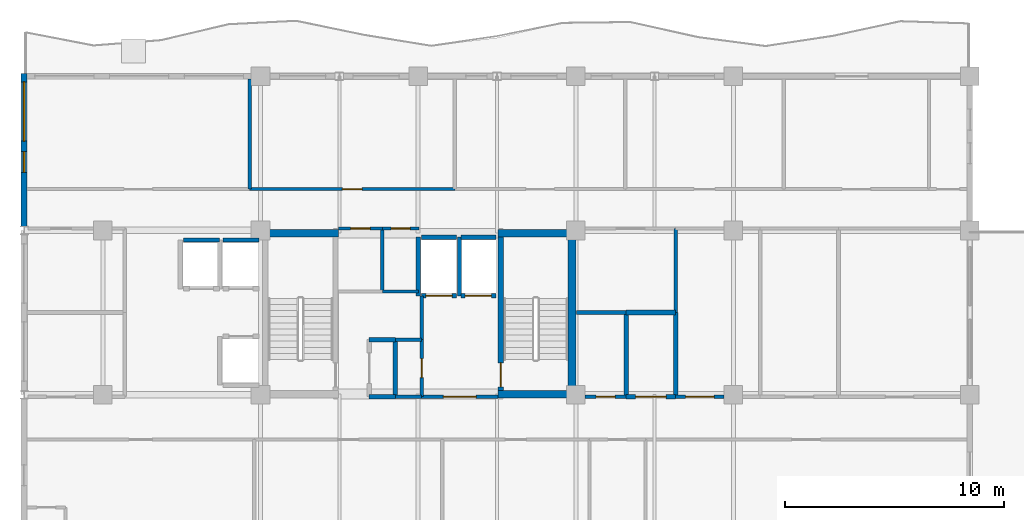
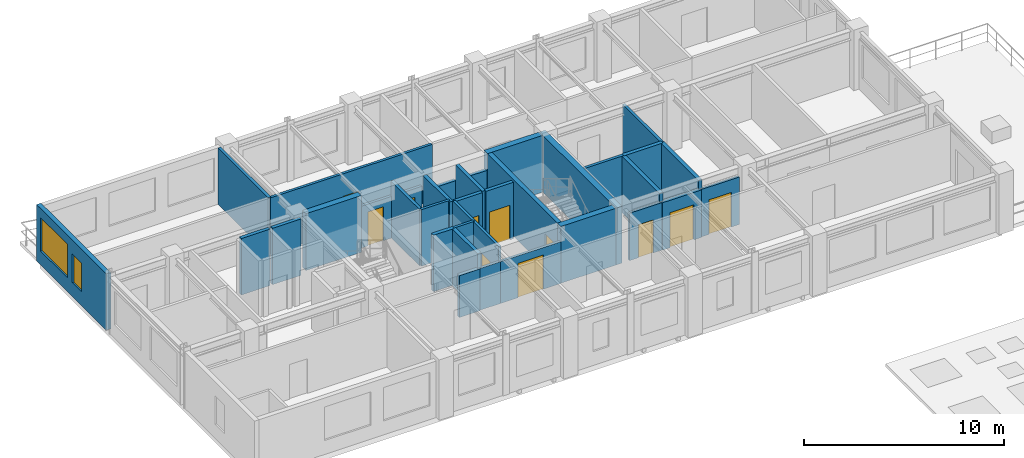
# One storey, part 4 of 8: 36 walls, 11 doors, 2 windows, 13 openings.
"""IFC4 building model written with IfcOpenShell, lengths in metres."""

from ifc_helpers import new_model, si_unit, direction, frame, frame_2d, origin, place, context, subcontext, project, spatial, rectangle, extrude, material, layer, layer_set, type_object, element, fill, save


model = new_model("IFC4")

# Units and contexts
model_context = context("Model", 3, precision=1e-05, world=origin(), true_north=direction((0.0, 1.0)))
body_context = subcontext(model_context, "Body", "Model", "MODEL_VIEW")
ifc_project = project(units=[si_unit("LENGTHUNIT", "METRE"), si_unit("AREAUNIT", "SQUARE_METRE"), si_unit("VOLUMEUNIT", "CUBIC_METRE"), si_unit("PLANEANGLEUNIT", "RADIAN"), si_unit("MASSUNIT", "GRAM", prefix="KILO")], contexts=[model_context])

# Site, building, storey
site_placement = place(None, origin())
site = spatial("IfcSite", under=ifc_project, at=site_placement, CompositionType="ELEMENT")
building_placement = place(site_placement, origin())
building = spatial("IfcBuilding", under=site, at=building_placement, Name="Kaliganga Portal Commons", CompositionType="ELEMENT")
storey_placement = place(building_placement, frame((0.0, 0.0, 249.89990234375)))
storey = spatial("IfcBuildingStorey", under=building, at=storey_placement, Name="L64", CompositionType="ELEMENT", Elevation=249.89990234375)

# Walls
ifc_material_1 = material(Name="Concrete C50/60", Category="concrete")
ifc_layer_1 = layer(ifc_material_1, 0.35009765625)
ifc_layer_set_1 = layer_set([ifc_layer_1], Name="Concrete C50/60")
wall_type_1 = type_object("IfcWallType", Name="WL-CORE-350", PredefinedType="SHEAR", material=ifc_layer_set_1)
wall_1_placement = place(storey_placement, frame((28.625, 28.5, 0.0), z_axis=(0.0, 0.0, 1.0), x_axis=(0.0, 1.0, 0.0)))
element("IfcWall", 1, at=wall_1_placement, inside=storey, type_object=wall_type_1, Name="Core A East Shear Wall L64", PredefinedType="SHEAR", context=body_context, shape_type="SweptSolid", body=[
    extrude(rectangle(XDim=7.699951171875, YDim=0.35009765625, at=frame_2d((3.85009765625, 0.0))), origin(), (0.0, 0.0, 1.0), 3.47509765625),
])
for number, where, z_axis, x_axis, name in (
    (2, (25.25, 28.675048828125, 0.0), (0.0, 0.0, 1.0), (1.0, 0.0, 0.0), "Core A S-East Shear Wall L64"),
    (3, (14.75, 36.02490234375, 0.0), (0.0, 0.0, 1.0), (1.0, 0.0, 0.0), "Core A N-West Shear Wall L64"),
    (4, (25.25, 36.02490234375, 0.0), (0.0, 0.0, 1.0), (1.0, 0.0, 0.0), "Core A N-East Shear Wall L64"),
):
    element("IfcWall", number, at=place(storey_placement, frame(where, z_axis=z_axis, x_axis=x_axis)), inside=storey, type_object=wall_type_1, Name=name, PredefinedType="SHEAR", context=body_context, shape_type="SweptSolid", body=[
        extrude(rectangle(XDim=3.199951171875, YDim=0.35009765625, at=frame_2d((1.60009765625, 0.0))), origin(), (0.0, 0.0, 1.0), 3.47509765625),
    ])

# Wall, openings, windows
ifc_material_2 = material(Name="Insulated Aluminium-Clad Spandrel Assembly", Category="aluminium")
ifc_layer_2 = layer(ifc_material_2, 0.260009765625)
ifc_layer_set_2 = layer_set([ifc_layer_2], Name="Insulated Aluminium-Clad Spandrel Assembly")
wall_type_2 = type_object("IfcWallType", Name="WL-EXT-SPAND-260", PredefinedType="STANDARD", material=ifc_layer_set_2)
wall_2_placement = place(storey_placement, frame((3.60009765625, 36.3369140625, 0.0), z_axis=(0.0, 0.0, 1.0), x_axis=(0.0, 1.0, 0.0)))
wall_2 = element("IfcWall", 5, at=wall_2_placement, inside=storey, type_object=wall_type_2, Name="Exterior Envelope Wall L64 P1-E03-S1", PredefinedType="STANDARD", context=body_context, shape_type="SweptSolid", body=[
    extrude(rectangle(XDim=6.9931640625, YDim=0.260009765625, at=frame_2d((3.49658203125, 0.0))), origin(), (0.0, 0.0, 1.0), 3.455078125),
])
opening_1_placement = place(wall_2_placement, frame((3.894775390625, 0.0, 0.85009765625)))
opening_1 = element("IfcOpeningElement", 6, at=opening_1_placement, cuts=wall_2, Name="Opening W-07", PredefinedType="OPENING", context=body_context, shape_type="SweptSolid", body=[
    extrude(rectangle(XDim=2.699951171875, YDim=2.050048828125, at=frame_2d((1.35009765625, 1.02490234375))), frame((0.0, 0.14013671875, 0.0), z_axis=(0.0, -1.0, 0.0), x_axis=(1.0, 0.0, 0.0)), (0.0, 0.0, 1.0), 0.280029296875),
])
opening_2_placement = place(wall_2_placement, frame((2.462158203125, 0.0, 0.85009765625)))
opening_2 = element("IfcOpeningElement", 7, at=opening_2_placement, cuts=wall_2, Name="Opening W-04", PredefinedType="OPENING", context=body_context, shape_type="SweptSolid", body=[
    extrude(rectangle(XDim=0.949951171875, YDim=1.75, at=frame_2d((0.47509765625, 0.875))), frame((0.0, 0.14013671875, 0.0), z_axis=(0.0, -1.0, 0.0), x_axis=(1.0, 0.0, 0.0)), (0.0, 0.0, 1.0), 0.280029296875),
])
ifc_material_3 = material(Name="Thermally Broken Aluminium and Low-E Double Glazing", Category="aluminium")
window_type_1 = type_object("IfcWindowType", Name="WIN-LOUNGE-2700", PartitioningType="TRIPLE_PANEL_VERTICAL", PredefinedType="WINDOW", material=ifc_material_3)
window_1_placement = place(opening_1_placement, origin())
window_1 = element("IfcWindow", 8, at=window_1_placement, inside=storey, type_object=window_type_1, Name="Facade Window L64-P1E03S1-01", OverallHeight=2.050048828125, OverallWidth=2.699951171875, PartitioningType="SINGLE_PANEL", PredefinedType="WINDOW", context=body_context, shape_type="SweptSolid", body=[
    extrude(rectangle(XDim=2.699951171875, YDim=2.050048828125, at=frame_2d((1.35009765625, 1.02490234375))), frame((0.0, 0.030029296875, 0.0), z_axis=(0.0, -1.0, 0.0), x_axis=(1.0, 0.0, 0.0)), (0.0, 0.0, 1.0), 0.06005859375),
])
fill(opening_1, window_1)
window_type_2 = type_object("IfcWindowType", Name="WIN-NARROW-950", PartitioningType="SINGLE_PANEL", PredefinedType="WINDOW", material=ifc_material_3)
window_2_placement = place(opening_2_placement, origin())
window_2 = element("IfcWindow", 9, at=window_2_placement, inside=storey, type_object=window_type_2, Name="Facade Window L64-P1E03S1-N5", OverallHeight=1.75, OverallWidth=0.949951171875, PartitioningType="SINGLE_PANEL", PredefinedType="WINDOW", context=body_context, shape_type="SweptSolid", body=[
    extrude(rectangle(XDim=0.949951171875, YDim=1.75, at=frame_2d((0.47509765625, 0.875))), frame((0.0, 0.030029296875, 0.0), z_axis=(0.0, -1.0, 0.0), x_axis=(1.0, 0.0, 0.0)), (0.0, 0.0, 1.0), 0.06005859375),
])
fill(opening_2, window_2)

# Wall, opening, door
ifc_material_4 = material(Name="Fire-Rated Gypsum Board on Steel Stud", Category="steel")
ifc_layer_3 = layer(ifc_material_4, 0.14990234375)
ifc_layer_set_3 = layer_set([ifc_layer_3], Name="Fire-Rated Gypsum Board on Steel Stud")
wall_type_3 = type_object("IfcWallType", Name="WL-PART-CORR-150", PredefinedType="PARTITIONING", material=ifc_layer_set_3)
wall_3_placement = place(storey_placement, frame((13.89990234375, 38.0400390625, 0.0), z_axis=(0.0, 0.0, 1.0), x_axis=(1.0, 0.0, 0.0)))
wall_3 = element("IfcWall", 10, at=wall_3_placement, inside=storey, type_object=wall_type_3, Name="Interior Partition L64-006", PredefinedType="PARTITIONING", context=body_context, shape_type="SweptSolid", body=[
    extrude(rectangle(XDim=9.380126953125, YDim=0.14990234375, at=frame_2d((4.68994140625, 0.0))), origin(), (0.0, 0.0, 1.0), 3.455078125),
])
opening_3_placement = place(wall_3_placement, frame((4.239990234375, 0.0, 0.0)))
opening_3 = element("IfcOpeningElement", 11, at=opening_3_placement, cuts=wall_3, Name="Opening RD-01", PredefinedType="OPENING", context=body_context, shape_type="SweptSolid", body=[
    extrude(rectangle(XDim=0.89990234375, YDim=2.080078125, at=frame_2d((0.449951171875, 1.0400390625))), frame((0.0, 0.0849609375, 0.0), z_axis=(0.0, -1.0, 0.0), x_axis=(1.0, 0.0, 0.0)), (0.0, 0.0, 1.0), 0.169921875),
])
ifc_material_5 = material(Name="Engineered Timber Flush Door", Category="wood")
door_type_1 = type_object("IfcDoorType", Name="DR-ROOM-900", OperationType="NOTDEFINED", PredefinedType="DOOR", material=ifc_material_5)
door_1_placement = place(opening_3_placement, origin())
door_1 = element("IfcDoor", 12, at=door_1_placement, inside=storey, type_object=door_type_1, Name="Interior Door L64-AN02", OperationType="SINGLE_SWING_LEFT", OverallHeight=2.080078125, OverallWidth=0.89990234375, PredefinedType="DOOR", context=body_context, shape_type="SweptSolid", body=[
    extrude(rectangle(XDim=0.89990234375, YDim=2.080078125, at=frame_2d((0.449951171875, 1.0400390625))), frame((0.0, 0.02490234375, 0.0), z_axis=(0.0, -1.0, 0.0), x_axis=(1.0, 0.0, 0.0)), (0.0, 0.0, 1.0), 0.050048828125),
])
fill(opening_3, door_1)

wall_4_placement = place(storey_placement, frame((33.360107421875, 28.56005859375, 0.0), z_axis=(0.0, 0.0, 1.0), x_axis=(1.0, 0.0, 0.0)))
wall_4 = element("IfcWall", 13, at=wall_4_placement, inside=storey, type_object=wall_type_3, Name="Interior Partition L64-019", PredefinedType="PARTITIONING", context=body_context, shape_type="SweptSolid", body=[
    extrude(rectangle(XDim=2.21484375, YDim=0.14990234375, at=frame_2d((1.107421875, 0.0))), origin(), (0.0, 0.0, 1.0), 2.905029296875),
])
opening_4_placement = place(wall_4_placement, frame((0.45751953125, 0.0, 0.0)))
opening_4 = element("IfcOpeningElement", 14, at=opening_4_placement, cuts=wall_4, Name="Opening RD-03", PredefinedType="OPENING", context=body_context, shape_type="SweptSolid", body=[
    extrude(rectangle(XDim=1.300048828125, YDim=2.1201171875, at=frame_2d((0.64990234375, 1.06005859375))), frame((0.0, 0.0849609375, 0.0), z_axis=(0.0, -1.0, 0.0), x_axis=(1.0, 0.0, 0.0)), (0.0, 0.0, 1.0), 0.169921875),
])
ifc_material_6 = material(Name="Glazed Timber Seminar Vision Door", Category="wood")
door_type_2 = type_object("IfcDoorType", Name="DR-STUDY-1300", OperationType="DOUBLE_DOOR_SINGLE_SWING", PredefinedType="DOOR", material=ifc_material_6)
door_2_placement = place(opening_4_placement, origin())
door_2 = element("IfcDoor", 15, at=door_2_placement, inside=storey, type_object=door_type_2, Name="Interior Door L64-AE01", OperationType="DOUBLE_DOOR_SINGLE_SWING", OverallHeight=2.1201171875, OverallWidth=1.300048828125, PredefinedType="DOOR", context=body_context, shape_type="SweptSolid", body=[
    extrude(rectangle(XDim=1.300048828125, YDim=2.1201171875, at=frame_2d((0.64990234375, 1.06005859375))), frame((0.0, 0.02490234375, 0.0), z_axis=(0.0, -1.0, 0.0), x_axis=(1.0, 0.0, 0.0)), (0.0, 0.0, 1.0), 0.050048828125),
])
fill(opening_4, door_2)

wall_5_placement = place(storey_placement, frame((21.760009765625, 28.56005859375, 0.0), z_axis=(0.0, 0.0, 1.0), x_axis=(0.0, 1.0, 0.0)))
wall_5 = element("IfcWall", 16, at=wall_5_placement, inside=storey, type_object=wall_type_3, Name="Interior Partition L64-028", PredefinedType="PARTITIONING", context=body_context, shape_type="SweptSolid", body=[
    extrude(rectangle(XDim=2.599853515625, YDim=0.14990234375, at=frame_2d((1.2998046875, 0.0))), origin(), (0.0, 0.0, 1.0), 3.455078125),
])
opening_5_placement = place(wall_5_placement, frame((0.8701171875, 0.0, 0.0)))
opening_5 = element("IfcOpeningElement", 17, at=opening_5_placement, cuts=wall_5, Name="Opening WD-02", PredefinedType="OPENING", context=body_context, shape_type="SweptSolid", body=[
    extrude(rectangle(XDim=0.860107421875, YDim=2.02001953125, at=frame_2d((0.43017578125, 1.010009765625))), frame((0.0, 0.0849609375, 0.0), z_axis=(0.0, -1.0, 0.0), x_axis=(1.0, 0.0, 0.0)), (0.0, 0.0, 1.0), 0.169921875),
])
ifc_material_7 = material(Name="Fire-Rated Utility Closet Door", Category="wood")
door_type_3 = type_object("IfcDoorType", Name="DR-STORE-800", OperationType="NOTDEFINED", PredefinedType="DOOR", material=ifc_material_7)
door_3_placement = place(opening_5_placement, origin())
door_3 = element("IfcDoor", 18, at=door_3_placement, inside=storey, type_object=door_type_3, Name="Interior Door L64-CIN_A2", OperationType="SINGLE_SWING_RIGHT", OverallHeight=2.02001953125, OverallWidth=0.860107421875, PredefinedType="DOOR", context=body_context, shape_type="SweptSolid", body=[
    extrude(rectangle(XDim=0.860107421875, YDim=2.02001953125, at=frame_2d((0.43017578125, 1.010009765625))), frame((0.0, 0.02490234375, 0.0), z_axis=(0.0, -1.0, 0.0), x_axis=(1.0, 0.0, 0.0)), (0.0, 0.0, 1.0), 0.050048828125),
])
fill(opening_5, door_3)

wall_6_placement = place(storey_placement, frame((29.22509765625, 28.56005859375, 0.0), z_axis=(0.0, 0.0, 1.0), x_axis=(1.0, 0.0, 0.0)))
wall_6 = element("IfcWall", 19, at=wall_6_placement, inside=storey, type_object=wall_type_3, Name="Interior Partition L64-030", PredefinedType="PARTITIONING", context=body_context, shape_type="SweptSolid", body=[
    extrude(rectangle(XDim=1.875, YDim=0.14990234375, at=frame_2d((0.9375, 0.0))), origin(), (0.0, 0.0, 1.0), 2.905029296875),
])
opening_6_placement = place(wall_6_placement, frame((0.507568359375, 0.0, 0.0)))
opening_6 = element("IfcOpeningElement", 20, at=opening_6_placement, cuts=wall_6, Name="Opening WD-02", PredefinedType="OPENING", context=body_context, shape_type="SweptSolid", body=[
    extrude(rectangle(XDim=0.860107421875, YDim=2.02001953125, at=frame_2d((0.43017578125, 1.010009765625))), frame((0.0, 0.0849609375, 0.0), z_axis=(0.0, -1.0, 0.0), x_axis=(1.0, 0.0, 0.0)), (0.0, 0.0, 1.0), 0.169921875),
])
door_4_placement = place(opening_6_placement, origin())
door_4 = element("IfcDoor", 21, at=door_4_placement, inside=storey, type_object=door_type_3, Name="Interior Door L64-CSRV_A1", OperationType="SINGLE_SWING_RIGHT", OverallHeight=2.02001953125, OverallWidth=0.860107421875, PredefinedType="DOOR", context=body_context, shape_type="SweptSolid", body=[
    extrude(rectangle(XDim=0.860107421875, YDim=2.02001953125, at=frame_2d((0.43017578125, 1.010009765625))), frame((0.0, 0.02490234375, 0.0), z_axis=(0.0, -1.0, 0.0), x_axis=(1.0, 0.0, 0.0)), (0.0, 0.0, 1.0), 0.050048828125),
])
fill(opening_6, door_4)

wall_7_placement = place(storey_placement, frame((17.9599609375, 36.239990234375, 0.0), z_axis=(0.0, 0.0, 1.0), x_axis=(1.0, 0.0, 0.0)))
wall_7 = element("IfcWall", 22, at=wall_7_placement, inside=storey, type_object=wall_type_3, Name="Interior Partition L64-033", PredefinedType="PARTITIONING", context=body_context, shape_type="SweptSolid", body=[
    extrude(rectangle(XDim=2.0, YDim=0.14990234375, at=frame_2d((1.0, 0.0))), origin(), (0.0, 0.0, 1.0), 2.55517578125),
])
opening_7_placement = place(wall_7_placement, frame((0.550048828125, 0.0, 0.0)))
opening_7 = element("IfcOpeningElement", 23, at=opening_7_placement, cuts=wall_7, Name="Opening RD-01", PredefinedType="OPENING", context=body_context, shape_type="SweptSolid", body=[
    extrude(rectangle(XDim=0.89990234375, YDim=2.080078125, at=frame_2d((0.449951171875, 1.0400390625))), frame((0.0, 0.0849609375, 0.0), z_axis=(0.0, -1.0, 0.0), x_axis=(1.0, 0.0, 0.0)), (0.0, 0.0, 1.0), 0.169921875),
])
door_5_placement = place(opening_7_placement, origin())
door_5 = element("IfcDoor", 24, at=door_5_placement, inside=storey, type_object=door_type_1, Name="Interior Door L64-CREC_A1", OperationType="SINGLE_SWING_RIGHT", OverallHeight=2.080078125, OverallWidth=0.89990234375, PredefinedType="DOOR", context=body_context, shape_type="SweptSolid", body=[
    extrude(rectangle(XDim=0.89990234375, YDim=2.080078125, at=frame_2d((0.449951171875, 1.0400390625))), frame((0.0, 0.02490234375, 0.0), z_axis=(0.0, -1.0, 0.0), x_axis=(1.0, 0.0, 0.0)), (0.0, 0.0, 1.0), 0.050048828125),
])
fill(opening_7, door_5)

# Wall
wall_8_placement = place(storey_placement, frame((19.9599609375, 33.360107421875, 0.0), z_axis=(0.0, 0.0, 1.0), x_axis=(1.0, 0.0, 0.0)))
element("IfcWall", 25, at=wall_8_placement, inside=storey, type_object=wall_type_3, Name="Interior Partition L64-035", PredefinedType="PARTITIONING", context=body_context, shape_type="SweptSolid", body=[
    extrude(rectangle(XDim=1.650146484375, YDim=0.14990234375, at=frame_2d((0.8251953125, 0.0))), origin(), (0.0, 0.0, 1.0), 3.455078125),
])

# Wall, opening, door
wall_9_placement = place(storey_placement, frame((19.9599609375, 36.239990234375, 0.0), z_axis=(0.0, 0.0, 1.0), x_axis=(1.0, 0.0, 0.0)))
wall_9 = element("IfcWall", 26, at=wall_9_placement, inside=storey, type_object=wall_type_3, Name="Interior Partition L64-036", PredefinedType="PARTITIONING", context=body_context, shape_type="SweptSolid", body=[
    extrude(rectangle(XDim=1.679931640625, YDim=0.14990234375, at=frame_2d((0.83984375, 0.0))), origin(), (0.0, 0.0, 1.0), 2.55517578125),
])
opening_8_placement = place(wall_9_placement, frame((0.409912109375, 0.0, 0.0)))
opening_8 = element("IfcOpeningElement", 27, at=opening_8_placement, cuts=wall_9, Name="Opening WD-02", PredefinedType="OPENING", context=body_context, shape_type="SweptSolid", body=[
    extrude(rectangle(XDim=0.860107421875, YDim=2.02001953125, at=frame_2d((0.43017578125, 1.010009765625))), frame((0.0, 0.0849609375, 0.0), z_axis=(0.0, -1.0, 0.0), x_axis=(1.0, 0.0, 0.0)), (0.0, 0.0, 1.0), 0.169921875),
])
door_6_placement = place(opening_8_placement, origin())
door_6 = element("IfcDoor", 28, at=door_6_placement, inside=storey, type_object=door_type_3, Name="Interior Door L64-CREC_A2", OperationType="SINGLE_SWING_RIGHT", OverallHeight=2.02001953125, OverallWidth=0.860107421875, PredefinedType="DOOR", context=body_context, shape_type="SweptSolid", body=[
    extrude(rectangle(XDim=0.860107421875, YDim=2.02001953125, at=frame_2d((0.43017578125, 1.010009765625))), frame((0.0, 0.02490234375, 0.0), z_axis=(0.0, -1.0, 0.0), x_axis=(1.0, 0.0, 0.0)), (0.0, 0.0, 1.0), 0.050048828125),
])
fill(opening_8, door_6)

# Walls
wall_10_placement = place(storey_placement, frame((20.56005859375, 28.56005859375, 0.0), z_axis=(0.0, 0.0, 1.0), x_axis=(1.0, 0.0, 0.0)))
element("IfcWall", 29, at=wall_10_placement, inside=storey, type_object=wall_type_3, Name="Interior Partition L64-037", PredefinedType="PARTITIONING", context=body_context, shape_type="SweptSolid", body=[
    extrude(rectangle(XDim=1.199951171875, YDim=0.14990234375, at=frame_2d((0.60009765625, 0.0))), origin(), (0.0, 0.0, 1.0), 2.55517578125),
])
wall_11_placement = place(storey_placement, frame((20.56005859375, 31.159912109375, 0.0), z_axis=(0.0, 0.0, 1.0), x_axis=(1.0, 0.0, 0.0)))
element("IfcWall", 30, at=wall_11_placement, inside=storey, type_object=wall_type_3, Name="Interior Partition L64-038", PredefinedType="PARTITIONING", context=body_context, shape_type="SweptSolid", body=[
    extrude(rectangle(XDim=1.199951171875, YDim=0.14990234375, at=frame_2d((0.60009765625, 0.0))), origin(), (0.0, 0.0, 1.0), 3.455078125),
])

# Wall, opening, door
wall_12_placement = place(storey_placement, frame((21.760009765625, 28.56005859375, 0.0), z_axis=(0.0, 0.0, 1.0), x_axis=(1.0, 0.0, 0.0)))
wall_12 = element("IfcWall", 31, at=wall_12_placement, inside=storey, type_object=wall_type_3, Name="Interior Partition L64-056", PredefinedType="PARTITIONING", context=body_context, shape_type="SweptSolid", body=[
    extrude(rectangle(XDim=3.47998046875, YDim=0.14990234375, at=frame_2d((1.739990234375, 0.0))), origin(), (0.0, 0.0, 1.0), 2.55517578125),
])
opening_9_placement = place(wall_12_placement, frame((0.989990234375, 0.0, 0.0)))
opening_9 = element("IfcOpeningElement", 32, at=opening_9_placement, cuts=wall_12, Name="Opening FD-01", PredefinedType="OPENING", context=body_context, shape_type="SweptSolid", body=[
    extrude(rectangle(XDim=1.5, YDim=2.10009765625, at=frame_2d((0.75, 1.050048828125))), frame((0.0, 0.0849609375, 0.0), z_axis=(0.0, -1.0, 0.0), x_axis=(1.0, 0.0, 0.0)), (0.0, 0.0, 1.0), 0.169921875),
])
ifc_material_8 = material(Name="Fire-Rated Hardwood and Georgian-Wired Vision Panel", Category="wood")
door_type_4 = type_object("IfcDoorType", Name="DR-LOBBY-1500", OperationType="DOUBLE_DOOR_SINGLE_SWING", PredefinedType="DOOR", material=ifc_material_8)
door_7_placement = place(opening_9_placement, origin())
door_7 = element("IfcDoor", 33, at=door_7_placement, inside=storey, type_object=door_type_4, Name="Interior Door L64-FFLOB_A", OperationType="DOUBLE_DOOR_SINGLE_SWING", OverallHeight=2.10009765625, OverallWidth=1.5, PredefinedType="DOOR", context=body_context, shape_type="SweptSolid", body=[
    extrude(rectangle(XDim=1.5, YDim=2.10009765625, at=frame_2d((0.75, 1.050048828125))), frame((0.0, 0.02490234375, 0.0), z_axis=(0.0, -1.0, 0.0), x_axis=(1.0, 0.0, 0.0)), (0.0, 0.0, 1.0), 0.050048828125),
])
fill(opening_9, door_7)

# Wall
wall_13_placement = place(storey_placement, frame((21.760009765625, 31.159912109375, 0.0), z_axis=(0.0, 0.0, 1.0), x_axis=(0.0, 1.0, 0.0)))
element("IfcWall", 34, at=wall_13_placement, inside=storey, type_object=wall_type_3, Name="Interior Partition L64-061", PredefinedType="PARTITIONING", context=body_context, shape_type="SweptSolid", body=[
    extrude(rectangle(XDim=2.0, YDim=0.14990234375, at=frame_2d((1.0, 0.0))), origin(), (0.0, 0.0, 1.0), 3.455078125),
])

# Wall, opening, door
ifc_material_9 = material(Name="Lightweight blockwork masonry", Category="masonry")
ifc_layer_4 = layer(ifc_material_9, 0.215087890625)
ifc_layer_set_4 = layer_set([ifc_layer_4], Name="Lightweight blockwork masonry")
wall_type_4 = type_object("IfcWallType", Name="WL-PART-PLANT-215", PredefinedType="PARTITIONING", material=ifc_layer_set_4)
wall_14_placement = place(storey_placement, frame((31.10009765625, 28.56005859375, 0.0), z_axis=(0.0, 0.0, 1.0), x_axis=(1.0, 0.0, 0.0)))
wall_14 = element("IfcWall", 35, at=wall_14_placement, inside=storey, type_object=wall_type_4, Name="Interior Partition L64-031", PredefinedType="PARTITIONING", context=body_context, shape_type="SweptSolid", body=[
    extrude(rectangle(XDim=2.260009765625, YDim=0.215087890625, at=frame_2d((1.1298828125, 0.0))), origin(), (0.0, 0.0, 1.0), 2.905029296875),
])
opening_10_placement = place(wall_14_placement, frame((0.429931640625, 0.0, 0.0)))
opening_10 = element("IfcOpeningElement", 36, at=opening_10_placement, cuts=wall_14, Name="Opening PD-01", PredefinedType="OPENING", context=body_context, shape_type="SweptSolid", body=[
    extrude(rectangle(XDim=1.39990234375, YDim=2.14990234375, at=frame_2d((0.699951171875, 1.074951171875))), frame((0.0, 0.11767578125, 0.0), z_axis=(0.0, -1.0, 0.0), x_axis=(1.0, 0.0, 0.0)), (0.0, 0.0, 1.0), 0.235107421875),
])
ifc_material_10 = material(Name="Heavy-Duty Steel Acoustic Louvre Fire Door", Category="steel")
door_type_5 = type_object("IfcDoorType", Name="DR-PLANT-1400", OperationType="DOUBLE_DOOR_SINGLE_SWING", PredefinedType="DOOR", material=ifc_material_10)
door_8_placement = place(opening_10_placement, origin())
door_8 = element("IfcDoor", 37, at=door_8_placement, inside=storey, type_object=door_type_5, Name="Interior Door L64-CSRV_A3", OperationType="DOUBLE_DOOR_SINGLE_SWING", OverallHeight=2.14990234375, OverallWidth=1.39990234375, PredefinedType="DOOR", context=body_context, shape_type="SweptSolid", body=[
    extrude(rectangle(XDim=1.39990234375, YDim=2.14990234375, at=frame_2d((0.699951171875, 1.074951171875))), frame((0.0, 0.02490234375, 0.0), z_axis=(0.0, -1.0, 0.0), x_axis=(1.0, 0.0, 0.0)), (0.0, 0.0, 1.0), 0.050048828125),
])
fill(opening_10, door_8)

# Walls
wall_15_placement = place(storey_placement, frame((19.360107421875, 28.56005859375, 0.0), z_axis=(0.0, 0.0, 1.0), x_axis=(1.0, 0.0, 0.0)))
element("IfcWall", 38, at=wall_15_placement, inside=storey, type_object=wall_type_4, Name="Interior Partition L64-039", PredefinedType="PARTITIONING", context=body_context, shape_type="SweptSolid", body=[
    extrude(rectangle(XDim=1.199951171875, YDim=0.215087890625, at=frame_2d((0.60009765625, 0.0))), origin(), (0.0, 0.0, 1.0), 2.55517578125),
])
wall_16_placement = place(storey_placement, frame((19.360107421875, 31.159912109375, 0.0), z_axis=(0.0, 0.0, 1.0), x_axis=(1.0, 0.0, 0.0)))
element("IfcWall", 39, at=wall_16_placement, inside=storey, type_object=wall_type_4, Name="Interior Partition L64-040", PredefinedType="PARTITIONING", context=body_context, shape_type="SweptSolid", body=[
    extrude(rectangle(XDim=1.199951171875, YDim=0.215087890625, at=frame_2d((0.60009765625, 0.0))), origin(), (0.0, 0.0, 1.0), 3.455078125),
])
for number, where, z_axis, x_axis, name in (
    (40, (31.10009765625, 28.56005859375, 0.0), (0.0, 0.0, 1.0), (0.0, 1.0, 0.0), "Interior Partition L64-054"),
    (41, (33.360107421875, 28.56005859375, 0.0), (0.0, 0.0, 1.0), (0.0, 1.0, 0.0), "Interior Partition L64-055"),
):
    element("IfcWall", number, at=place(storey_placement, frame(where, z_axis=z_axis, x_axis=x_axis)), inside=storey, type_object=wall_type_4, Name=name, PredefinedType="PARTITIONING", context=body_context, shape_type="SweptSolid", body=[
        extrude(rectangle(XDim=3.83984375, YDim=0.215087890625, at=frame_2d((1.919921875, 0.0))), origin(), (0.0, 0.0, 1.0), 3.455078125),
    ])
wall_17_placement = place(storey_placement, frame((20.56005859375, 28.56005859375, 0.0), z_axis=(0.0, 0.0, 1.0), x_axis=(0.0, 1.0, 0.0)))
element("IfcWall", 42, at=wall_17_placement, inside=storey, type_object=wall_type_4, Name="Interior Partition L64-058", PredefinedType="PARTITIONING", context=body_context, shape_type="SweptSolid", body=[
    extrude(rectangle(XDim=2.599853515625, YDim=0.215087890625, at=frame_2d((1.2998046875, 0.0))), origin(), (0.0, 0.0, 1.0), 3.455078125),
])
wall_18_placement = place(storey_placement, frame((31.10009765625, 32.39990234375, 0.0), z_axis=(0.0, 0.0, 1.0), x_axis=(1.0, 0.0, 0.0)))
element("IfcWall", 43, at=wall_18_placement, inside=storey, type_object=wall_type_4, Name="Interior Partition L64-060", PredefinedType="PARTITIONING", context=body_context, shape_type="SweptSolid", body=[
    extrude(rectangle(XDim=2.260009765625, YDim=0.215087890625, at=frame_2d((1.1298828125, 0.0))), origin(), (0.0, 0.0, 1.0), 3.455078125),
])
ifc_material_11 = material(Name="Twin-Stud Acoustic Gypsum Partition", Category="gypsum")
ifc_layer_5 = layer(ifc_material_11, 0.1650390625)
ifc_layer_set_5 = layer_set([ifc_layer_5], Name="Twin-Stud Acoustic Gypsum Partition")
wall_type_5 = type_object("IfcWallType", Name="WL-PART-UNIT-165", PredefinedType="PARTITIONING", material=ifc_layer_set_5)
wall_19_placement = place(storey_placement, frame((13.89990234375, 38.0400390625, 0.0), z_axis=(0.0, 0.0, 1.0), x_axis=(0.0, 1.0, 0.0)))
element("IfcWall", 44, at=wall_19_placement, inside=storey, type_object=wall_type_5, Name="Interior Partition L64-043", PredefinedType="PARTITIONING", context=body_context, shape_type="SweptSolid", body=[
    extrude(rectangle(XDim=5.028076171875, YDim=0.1650390625, at=frame_2d((2.51416015625, 0.0))), origin(), (0.0, 0.0, 1.0), 3.455078125),
])
wall_20_placement = place(storey_placement, frame((33.360107421875, 32.39990234375, 0.0), z_axis=(0.0, 0.0, 1.0), x_axis=(0.0, 1.0, 0.0)))
element("IfcWall", 45, at=wall_20_placement, inside=storey, type_object=wall_type_5, Name="Interior Partition L64-053", PredefinedType="PARTITIONING", context=body_context, shape_type="SweptSolid", body=[
    extrude(rectangle(XDim=3.840087890625, YDim=0.1650390625, at=frame_2d((1.919921875, 0.0))), origin(), (0.0, 0.0, 1.0), 3.455078125),
])
wall_21_placement = place(storey_placement, frame((19.9599609375, 33.360107421875, 0.0), z_axis=(0.0, 0.0, 1.0), x_axis=(0.0, 1.0, 0.0)))
element("IfcWall", 46, at=wall_21_placement, inside=storey, type_object=wall_type_5, Name="Interior Partition L64-057", PredefinedType="PARTITIONING", context=body_context, shape_type="SweptSolid", body=[
    extrude(rectangle(XDim=2.8798828125, YDim=0.1650390625, at=frame_2d((1.43994140625, 0.0))), origin(), (0.0, 0.0, 1.0), 3.455078125),
])
wall_22_placement = place(storey_placement, frame((28.840087890625, 32.39990234375, 0.0), z_axis=(0.0, 0.0, 1.0), x_axis=(1.0, 0.0, 0.0)))
element("IfcWall", 47, at=wall_22_placement, inside=storey, type_object=wall_type_5, Name="Interior Partition L64-059", PredefinedType="PARTITIONING", context=body_context, shape_type="SweptSolid", body=[
    extrude(rectangle(XDim=2.260009765625, YDim=0.1650390625, at=frame_2d((1.1298828125, 0.0))), origin(), (0.0, 0.0, 1.0), 3.455078125),
])
ifc_material_12 = material(Name="Fire-Rated Shaftwall Masonry Assembly", Category="masonry")
ifc_layer_6 = layer(ifc_material_12, 0.199951171875)
ifc_layer_set_6 = layer_set([ifc_layer_6], Name="Fire-Rated Shaftwall Masonry Assembly")
wall_type_6 = type_object("IfcWallType", Name="WL-SHAFT-200", PredefinedType="PARTITIONING", material=ifc_layer_set_6)
for number, where, z_axis, x_axis, name in (
    (48, (12.675048828125, 35.715087890625, 0.0), (0.0, 0.0, 1.0), (1.0, 0.0, 0.0), "Lift PL-A3 Hoistway Shaft Wall L64-N"),
    (49, (10.875, 35.715087890625, 0.0), (0.0, 0.0, 1.0), (1.0, 0.0, 0.0), "Lift PL-OBS Hoistway Shaft Wall L64-N"),
):
    element("IfcWall", number, at=place(storey_placement, frame(where, z_axis=z_axis, x_axis=x_axis)), inside=storey, type_object=wall_type_6, Name=name, PredefinedType="PARTITIONING", context=body_context, shape_type="SweptSolid", body=[
        extrude(rectangle(XDim=1.64990234375, YDim=0.199951171875, at=frame_2d((0.824951171875, 0.0))), origin(), (0.0, 0.0, 1.0), 3.455078125),
    ])

# Wall, opening, door
wall_23_placement = place(storey_placement, frame((21.75, 33.159912109375, 0.0), z_axis=(0.0, 0.0, 1.0), x_axis=(1.0, 0.0, 0.0)))
wall_23 = element("IfcWall", 50, at=wall_23_placement, inside=storey, type_object=wall_type_6, Name="Lift FFL-1 Hoistway Shaft Wall L64-S", PredefinedType="PARTITIONING", context=body_context, shape_type="SweptSolid", body=[
    extrude(rectangle(XDim=1.60009765625, YDim=0.199951171875, at=frame_2d((0.800048828125, 0.0))), origin(), (0.0, 0.0, 1.0), 3.455078125),
])
opening_11_placement = place(wall_23_placement, frame((0.199951171875, 0.0, 0.0)))
opening_11 = element("IfcOpeningElement", 51, at=opening_11_placement, cuts=wall_23, Name="Opening LD-02", PredefinedType="OPENING", context=body_context, shape_type="SweptSolid", body=[
    extrude(rectangle(XDim=1.199951171875, YDim=2.1201171875, at=frame_2d((0.60009765625, 1.06005859375))), frame((0.0, 0.10986328125, 0.0), z_axis=(0.0, -1.0, 0.0), x_axis=(1.0, 0.0, 0.0)), (0.0, 0.0, 1.0), 0.219970703125),
])
ifc_material_13 = material(Name="Brushed Stainless Steel 316 Stretcher Lift Landing Door", Category="steel")
door_type_6 = type_object("IfcDoorType", Name="DR-LIFT-1200", OperationType="SLIDING_TO_RIGHT", PredefinedType="DOOR", material=ifc_material_13)
door_9_placement = place(opening_11_placement, origin())
door_9 = element("IfcDoor", 52, at=door_9_placement, inside=storey, type_object=door_type_6, Name="Lift FFL-1 Sliding Landing Door L64", OperationType="SLIDING_TO_RIGHT", OverallHeight=2.1201171875, OverallWidth=1.199951171875, PredefinedType="DOOR", context=body_context, shape_type="SweptSolid", body=[
    extrude(rectangle(XDim=1.199951171875, YDim=2.1201171875, at=frame_2d((0.60009765625, 1.06005859375))), frame((0.0, 0.02490234375, 0.0), z_axis=(0.0, -1.0, 0.0), x_axis=(1.0, 0.0, 0.0)), (0.0, 0.0, 1.0), 0.050048828125),
])
fill(opening_11, door_9)

# Walls
wall_24_placement = place(storey_placement, frame((21.75, 35.840087890625, 0.0), z_axis=(0.0, 0.0, 1.0), x_axis=(1.0, 0.0, 0.0)))
element("IfcWall", 53, at=wall_24_placement, inside=storey, type_object=wall_type_6, Name="Lift FFL-1 Hoistway Shaft Wall L64-N", PredefinedType="PARTITIONING", context=body_context, shape_type="SweptSolid", body=[
    extrude(rectangle(XDim=1.60009765625, YDim=0.199951171875, at=frame_2d((0.800048828125, 0.0))), origin(), (0.0, 0.0, 1.0), 2.55517578125),
])
for number, where, z_axis, x_axis, name in (
    (54, (21.610107421875, 33.159912109375, 0.0), (0.0, 0.0, 1.0), (0.0, 1.0, 0.0), "Lift FFL-1 Hoistway Shaft Wall L64-W"),
    (55, (23.489990234375, 33.159912109375, 0.0), (0.0, 0.0, 1.0), (0.0, 1.0, 0.0), "Lift FFL-1 Hoistway Shaft Wall L64-E"),
):
    element("IfcWall", number, at=place(storey_placement, frame(where, z_axis=z_axis, x_axis=x_axis)), inside=storey, type_object=wall_type_6, Name=name, PredefinedType="PARTITIONING", context=body_context, shape_type="SweptSolid", body=[
        extrude(rectangle(XDim=2.68017578125, YDim=0.199951171875, at=frame_2d((1.340087890625, 0.0))), origin(), (0.0, 0.0, 1.0), 3.455078125),
    ])

# Wall, opening, door
wall_25_placement = place(storey_placement, frame((23.550048828125, 33.159912109375, 0.0), z_axis=(0.0, 0.0, 1.0), x_axis=(1.0, 0.0, 0.0)))
wall_25 = element("IfcWall", 56, at=wall_25_placement, inside=storey, type_object=wall_type_6, Name="Lift FFL-2 Hoistway Shaft Wall L64-S", PredefinedType="PARTITIONING", context=body_context, shape_type="SweptSolid", body=[
    extrude(rectangle(XDim=1.599853515625, YDim=0.199951171875, at=frame_2d((0.7998046875, 0.0))), origin(), (0.0, 0.0, 1.0), 3.455078125),
])
opening_12_placement = place(wall_25_placement, frame((0.199951171875, 0.0, 0.0)))
opening_12 = element("IfcOpeningElement", 57, at=opening_12_placement, cuts=wall_25, Name="Opening LD-02", PredefinedType="OPENING", context=body_context, shape_type="SweptSolid", body=[
    extrude(rectangle(XDim=1.199951171875, YDim=2.1201171875, at=frame_2d((0.60009765625, 1.06005859375))), frame((0.0, 0.10986328125, 0.0), z_axis=(0.0, -1.0, 0.0), x_axis=(1.0, 0.0, 0.0)), (0.0, 0.0, 1.0), 0.219970703125),
])
door_10_placement = place(opening_12_placement, origin())
door_10 = element("IfcDoor", 58, at=door_10_placement, inside=storey, type_object=door_type_6, Name="Lift FFL-2 Sliding Landing Door L64", OperationType="SLIDING_TO_RIGHT", OverallHeight=2.1201171875, OverallWidth=1.199951171875, PredefinedType="DOOR", context=body_context, shape_type="SweptSolid", body=[
    extrude(rectangle(XDim=1.199951171875, YDim=2.1201171875, at=frame_2d((0.60009765625, 1.06005859375))), frame((0.0, 0.02490234375, 0.0), z_axis=(0.0, -1.0, 0.0), x_axis=(1.0, 0.0, 0.0)), (0.0, 0.0, 1.0), 0.050048828125),
])
fill(opening_12, door_10)

# Wall
wall_26_placement = place(storey_placement, frame((23.550048828125, 35.840087890625, 0.0), z_axis=(0.0, 0.0, 1.0), x_axis=(1.0, 0.0, 0.0)))
element("IfcWall", 59, at=wall_26_placement, inside=storey, type_object=wall_type_6, Name="Lift FFL-2 Hoistway Shaft Wall L64-N", PredefinedType="PARTITIONING", context=body_context, shape_type="SweptSolid", body=[
    extrude(rectangle(XDim=1.599853515625, YDim=0.199951171875, at=frame_2d((0.7998046875, 0.0))), origin(), (0.0, 0.0, 1.0), 2.55517578125),
])

# Wall, opening, door
ifc_layer_7 = layer(ifc_material_1, 0.25)
ifc_layer_set_7 = layer_set([ifc_layer_7], Name="Concrete C50/60")
wall_type_7 = type_object("IfcWallType", Name="WL-STAIR-250", PredefinedType="SHEAR", material=ifc_layer_set_7)
wall_27_placement = place(storey_placement, frame((25.375, 28.85009765625, 0.0), z_axis=(0.0, 0.0, 1.0), x_axis=(0.0, 1.0, 0.0)))
wall_27 = element("IfcWall", 60, at=wall_27_placement, inside=storey, type_object=wall_type_7, Name="Stair A2 Enclosure Shear Wall L64", PredefinedType="SHEAR", context=body_context, shape_type="SweptSolid", body=[
    extrude(rectangle(XDim=7.0, YDim=0.25, at=frame_2d((3.5, 0.0))), origin(), (0.0, 0.0, 1.0), 3.47509765625),
])
opening_13_placement = place(wall_27_placement, frame((0.14990234375, 0.0, 0.0)))
opening_13 = element("IfcOpeningElement", 61, at=opening_13_placement, cuts=wall_27, Name="Opening SD-01", PredefinedType="OPENING", context=body_context, shape_type="SweptSolid", body=[
    extrude(rectangle(XDim=1.10009765625, YDim=2.080078125, at=frame_2d((0.550048828125, 1.0400390625))), frame((0.0, 0.135009765625, 0.0), z_axis=(0.0, -1.0, 0.0), x_axis=(1.0, 0.0, 0.0)), (0.0, 0.0, 1.0), 0.27001953125),
])
ifc_material_14 = material(Name="Galvanized Steel Fire Door Leaf and Frame", Category="steel")
door_type_7 = type_object("IfcDoorType", Name="DR-STAIR-1100", OperationType="NOTDEFINED", PredefinedType="DOOR", material=ifc_material_14)
door_11_placement = place(opening_13_placement, origin())
door_11 = element("IfcDoor", 62, at=door_11_placement, inside=storey, type_object=door_type_7, Name="Protected Stair ST-A2 Fire Door L64", OperationType="SINGLE_SWING_LEFT", OverallHeight=2.080078125, OverallWidth=1.10009765625, PredefinedType="DOOR", context=body_context, shape_type="SweptSolid", body=[
    extrude(rectangle(XDim=1.10009765625, YDim=2.080078125, at=frame_2d((0.550048828125, 1.0400390625))), frame((0.0, 0.02490234375, 0.0), z_axis=(0.0, -1.0, 0.0), x_axis=(1.0, 0.0, 0.0)), (0.0, 0.0, 1.0), 0.050048828125),
])
fill(opening_13, door_11)

save(model, "model.ifc")
